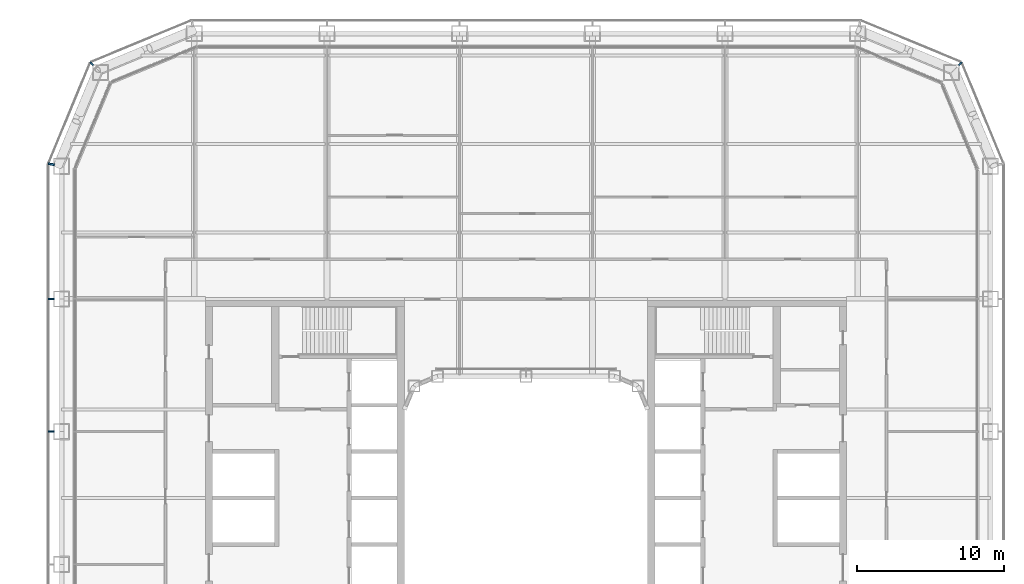
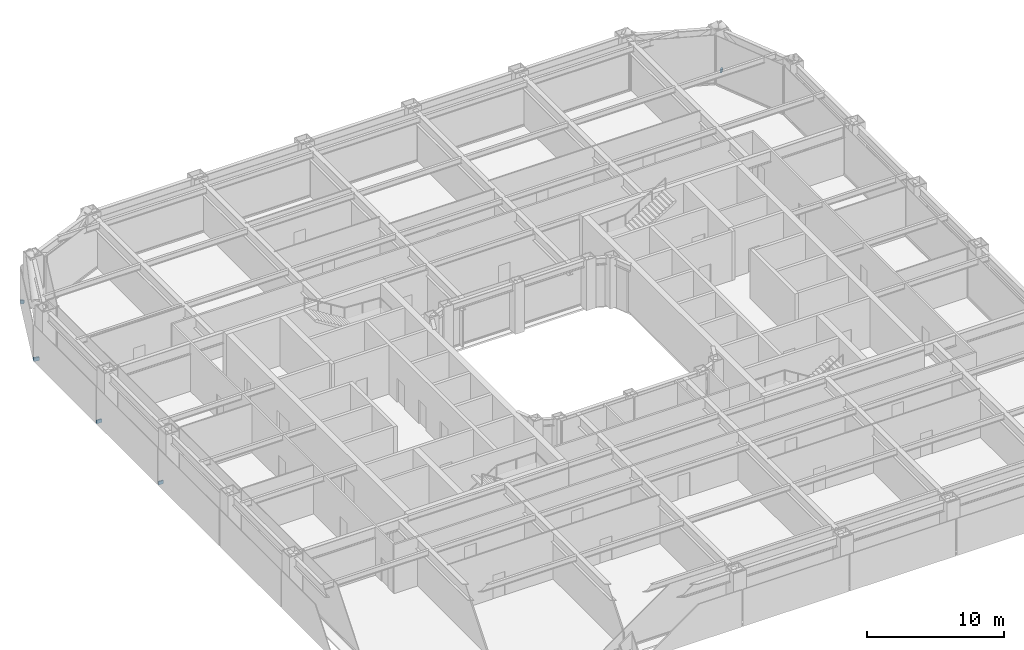
# One storey, part 20 of 27: 5 discrete accessories.
"""IFC4 building model written with IfcOpenShell, lengths in metres."""

from ifc_helpers import new_model, si_unit, direction, frame, origin, origin_2d, place, context, subcontext, project, spatial, rectangle, extrude, material, type_object, element, save


model = new_model("IFC4")

# Units and contexts
model_context = context("Model", 3, precision=1e-05, world=origin(), true_north=direction((0.0, 1.0)))
body_context = subcontext(model_context, "Body", "Model", "MODEL_VIEW")
ifc_project = project(units=[si_unit("LENGTHUNIT", "METRE"), si_unit("AREAUNIT", "SQUARE_METRE"), si_unit("VOLUMEUNIT", "CUBIC_METRE"), si_unit("PLANEANGLEUNIT", "RADIAN"), si_unit("MASSUNIT", "GRAM", prefix="KILO")], contexts=[model_context])

# Site, building, storey
site_placement = place(None, origin())
site = spatial("IfcSite", under=ifc_project, at=site_placement, CompositionType="ELEMENT")
building_placement = place(site_placement, origin())
building = spatial("IfcBuilding", under=site, at=building_placement, Name="Siwar Civic Tower", CompositionType="ELEMENT")
storey_placement = place(building_placement, frame((0.0, 0.0, 35.699951171875)))
storey = spatial("IfcBuildingStorey", under=building, at=storey_placement, Name="L07", CompositionType="ELEMENT", Elevation=35.699951171875)

# Discrete accessories
ifc_material = material(Name="Stainless steel 316", Category="steel")
discrete_accessory_type = type_object("IfcDiscreteAccessoryType", Name="ENV-BRACKET", PredefinedType="BRACKET", material=ifc_material)
for number, where, z_axis, x_axis, name in (
    (1, (29.451416015625, 29.451416015625, -0.14990234375), (0.0, 0.0, 1.0), (0.707106781187, 0.707106781187, 0.0), "Bracket outer skin joint V05"),
    (2, (-29.451416015625, 29.451416015625, -0.14990234375), (0.0, 0.0, 1.0), (-0.707106781187, 0.707106781187, 0.0), "Bracket outer skin joint V08"),
):
    element("IfcDiscreteAccessory", number, at=place(storey_placement, frame(where, z_axis=z_axis, x_axis=x_axis)), inside=storey, type_object=discrete_accessory_type, Name=name, PredefinedType="BRACKET", context=body_context, shape_type="SweptSolid", body=[
        extrude(rectangle(XDim=0.287109375, YDim=0.12939453125, at=origin_2d()), origin(), (0.0, 0.0, 1.0), 0.300048828125),
    ])
discrete_accessory_placement = place(storey_placement, frame((-32.190185546875, 22.63720703125, -0.14990234375), z_axis=(0.0, 0.0, 1.0), x_axis=(-0.980785280403, 0.195090322016, 0.0)))
element("IfcDiscreteAccessory", 3, at=discrete_accessory_placement, inside=storey, type_object=discrete_accessory_type, Name="Bracket outer skin joint V09", PredefinedType="BRACKET", context=body_context, shape_type="SweptSolid", body=[
    extrude(rectangle(XDim=0.427734375, YDim=0.13720703125, at=origin_2d()), origin(), (0.0, 0.0, 1.0), 0.300048828125),
])
for number, where, z_axis, x_axis, name in (
    (4, (-32.18994140625, 13.5, -0.14990234375), (0.0, 0.0, 1.0), (-1.0, 0.0, 0.0), "Bracket outer skin joint W-01"),
    (5, (-32.18994140625, 4.5, -0.14990234375), (0.0, 0.0, 1.0), (-1.0, 0.0, 0.0), "Bracket outer skin joint W-02"),
):
    element("IfcDiscreteAccessory", number, at=place(storey_placement, frame(where, z_axis=z_axis, x_axis=x_axis)), inside=storey, type_object=discrete_accessory_type, Name=name, PredefinedType="BRACKET", context=body_context, shape_type="SweptSolid", body=[
        extrude(rectangle(XDim=0.419921875, YDim=0.10009765625, at=origin_2d()), origin(), (0.0, 0.0, 1.0), 0.300048828125),
    ])

save(model, "model.ifc")
